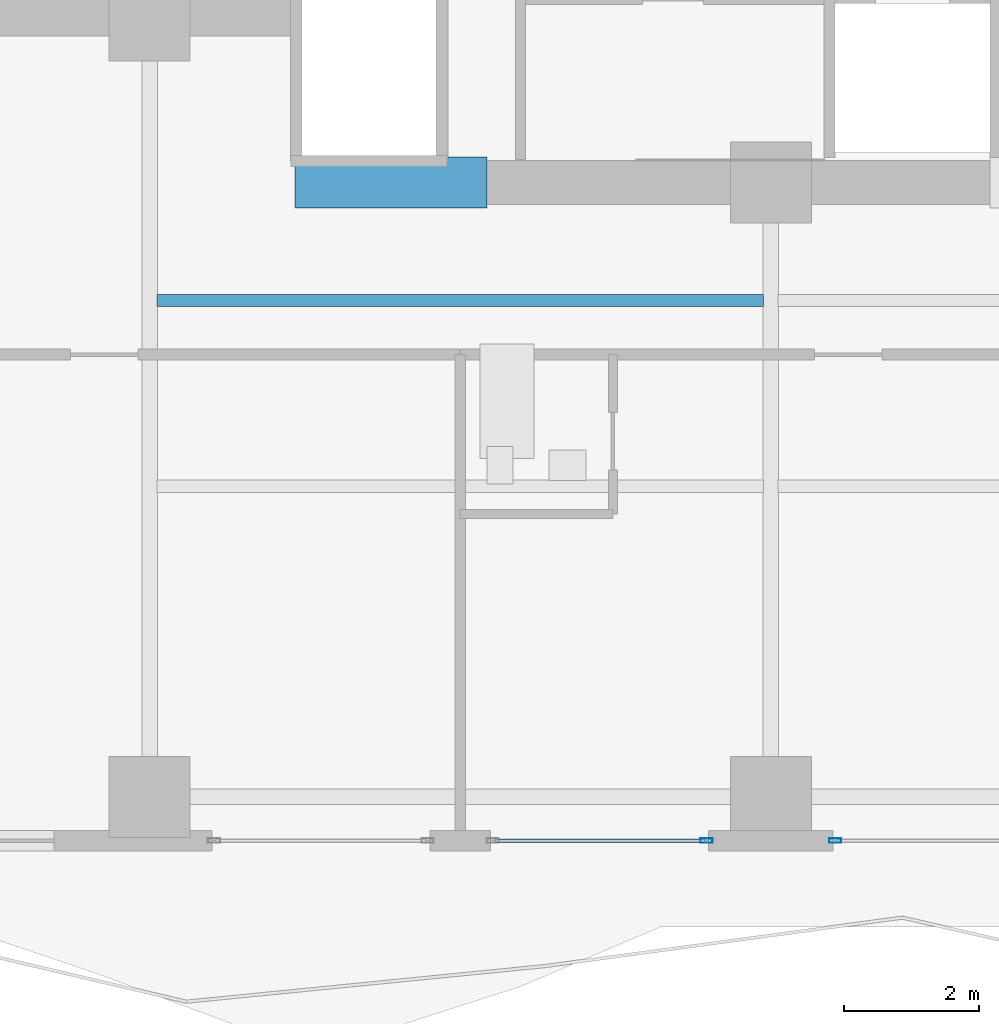
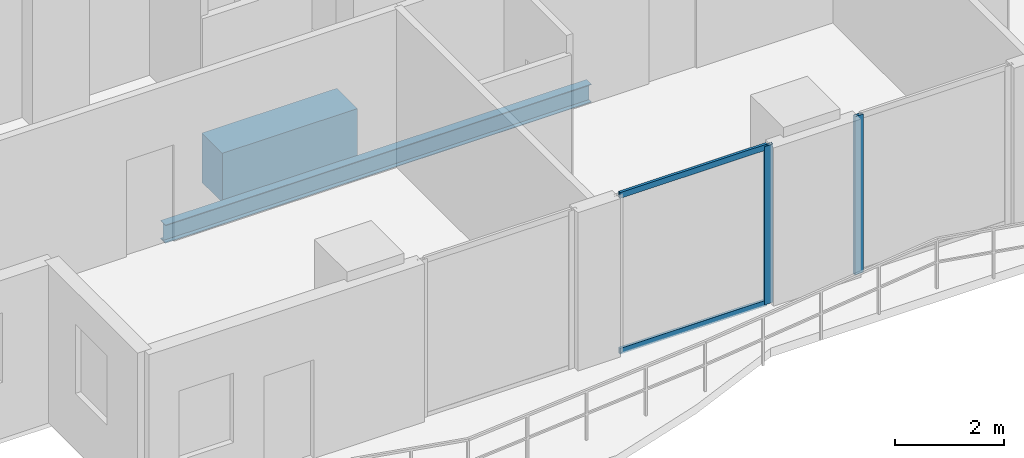
# One storey, part 4 of 33: 4 members, 2 beams, 2 elements without a shape of their own.
"""IFC4 building model written with IfcOpenShell, lengths in metres."""

from ifc_helpers import new_model, si_unit, direction, frame, origin, origin_2d, place, context, subcontext, project, spatial, rectangle, hollow_rectangle, i_section, extrude, material, layer, layer_set, material_profile, profile_set, type_object, element, aggregate, save


model = new_model("IFC4")

# Units and contexts
model_context = context("Model", 3, precision=1e-05, world=origin(), true_north=direction((0.0, 1.0)))
body_context = subcontext(model_context, "Body", "Model", "MODEL_VIEW")
ifc_project = project(units=[si_unit("LENGTHUNIT", "METRE"), si_unit("AREAUNIT", "SQUARE_METRE"), si_unit("VOLUMEUNIT", "CUBIC_METRE"), si_unit("PLANEANGLEUNIT", "RADIAN"), si_unit("MASSUNIT", "GRAM", prefix="KILO")], contexts=[model_context])

# Site, building, storey
site_placement = place(None, origin())
site = spatial("IfcSite", under=ifc_project, at=site_placement, CompositionType="ELEMENT")
building_placement = place(site_placement, origin())
building = spatial("IfcBuilding", under=site, at=building_placement, Name="Zuhayl Quay Hotel", CompositionType="ELEMENT")
storey_placement = place(building_placement, frame((0.0, 0.0, 222.39990234375)))
storey = spatial("IfcBuildingStorey", under=building, at=storey_placement, Name="L56", CompositionType="ELEMENT", Elevation=222.39990234375)

# Beams
ifc_material_1 = material(Name="Concrete C60/75", Category="concrete")
ifc_material_profile_1 = material_profile(ifc_material_1, rectangle(XDim=0.75, YDim=1.10009765625, at=origin_2d()), Name="RC750X1100")
ifc_profile_set_1 = profile_set([ifc_material_profile_1], Name="Concrete C60/75")
beam_type_1 = type_object("IfcBeamType", Name="BM_CB2_RC750", PredefinedType="T_BEAM", material=ifc_profile_set_1)
beam_1_placement = place(storey_placement, frame((-11.64990234375, 2.14990234375, -0.77001953125), z_axis=(1.0, 0.0, 0.0), x_axis=(0.0, 1.0, 0.0)))
element("IfcBeam", 1, at=beam_1_placement, inside=storey, type_object=beam_type_1, Name="L56 Core Coupling Beam SW", PredefinedType="T_BEAM", context=body_context, shape_type="SweptSolid", body=[
    extrude(rectangle(XDim=0.75, YDim=1.10009765625, at=origin_2d()), origin(), (0.0, 0.0, 1.0), 2.849853515625),
])
ifc_material_2 = material(Name="Steel ASTM A992 Grade 50", Category="steel")
ifc_material_profile_2 = material_profile(ifc_material_2, i_section(OverallWidth=0.177978515625, OverallDepth=0.406005859375, WebThickness=0.0078125, FlangeThickness=0.0126953125, at=origin_2d()), Name="W16X40")
ifc_profile_set_2 = profile_set([ifc_material_profile_2], Name="Steel ASTM A992 Grade 50")
beam_type_2 = type_object("IfcBeamType", Name="BM_J2B_W16X40", PredefinedType="JOIST", material=ifc_profile_set_2)
beam_2_placement = place(storey_placement, frame((-13.694091796875, 0.39990234375, -0.4228515625), z_axis=(1.0, 0.0, 0.0), x_axis=(0.0, 1.0, 0.0)))
element("IfcBeam", 2, at=beam_2_placement, inside=storey, type_object=beam_type_2, Name="L56 Floor Beam FJ_L56_8_1", PredefinedType="JOIST", context=body_context, shape_type="SweptSolid", body=[
    extrude(i_section(OverallWidth=0.177978515625, OverallDepth=0.406005859375, WebThickness=0.0078125, FlangeThickness=0.0126953125, at=origin_2d()), origin(), (0.0, 0.0, 1.0), 8.988037109375),
])

# Curtain wall, member
ifc_material_3 = material(Name="Anodised Aluminium 6063-T6", Category="aluminium")
ifc_layer = layer(ifc_material_3, 0.175048828125, Name="Anodised Aluminium 6063-T6", Category="aluminium")
ifc_layer_set = layer_set([ifc_layer], Name="Anodised Aluminium 6063-T6")
curtain_wall_type = type_object("IfcCurtainWallType", Name="CW_SYS_Z3", PredefinedType="USERDEFINED", material=ifc_layer_set)
curtain_wall_1_placement = place(storey_placement, origin())
curtain_wall_1 = element("IfcCurtainWall", 3, at=curtain_wall_1_placement, inside=storey, type_object=curtain_wall_type, Name="L56 Curtain Wall ENV_L56_S_CW5", ObjectType="UNITISED CURTAIN WALL", PredefinedType="USERDEFINED")
ifc_material_4 = material(Name="Black-anodised aluminium 6063-T6", Category="aluminium")
ifc_material_profile_3 = material_profile(ifc_material_4, hollow_rectangle(XDim=0.06494140625, YDim=0.179931640625, WallThickness=0.00341796875, at=origin_2d()), Name="ALU180X65")
ifc_profile_set_3 = profile_set([ifc_material_profile_3], Name="Black-anodised aluminium 6063-T6")
member_type_1 = type_object("IfcMemberType", Name="MB_CW_MUL_180", PredefinedType="MULLION", material=ifc_profile_set_3)
member_1_placement = place(storey_placement, frame((-3.6474609375, -7.60009765625, 0.0), z_axis=(0.0, 0.0, 1.0), x_axis=(0.0, -1.0, 0.0)))
member_1 = element("IfcMember", 4, at=member_1_placement, type_object=member_type_1, Name="CW-Z3 mullion 2", PredefinedType="MULLION", context=body_context, shape_type="SweptSolid", body=[
    extrude(hollow_rectangle(XDim=0.06494140625, YDim=0.179931640625, WallThickness=0.00341796875, at=origin_2d()), origin(), (0.0, 0.0, 1.0), 3.530029296875),
])
aggregate(curtain_wall_1, [member_1])

# Curtain wall, members
curtain_wall_2_placement = place(storey_placement, origin())
curtain_wall_2 = element("IfcCurtainWall", 5, at=curtain_wall_2_placement, inside=storey, type_object=curtain_wall_type, Name="L56 Curtain Wall ENV_L56_S_CW6", ObjectType="UNITISED CURTAIN WALL", PredefinedType="USERDEFINED")
member_2_placement = place(storey_placement, frame((-5.552490234375, -7.60009765625, 0.0), z_axis=(0.0, 0.0, 1.0), x_axis=(0.0, -1.0, 0.0)))
member_2 = element("IfcMember", 6, at=member_2_placement, type_object=member_type_1, Name="CW-Z3 mullion 1", PredefinedType="MULLION", context=body_context, shape_type="SweptSolid", body=[
    extrude(hollow_rectangle(XDim=0.06494140625, YDim=0.179931640625, WallThickness=0.00341796875, at=origin_2d()), origin(), (0.0, 0.0, 1.0), 3.530029296875),
])
ifc_material_profile_4 = material_profile(ifc_material_4, hollow_rectangle(XDim=0.054931640625, YDim=0.1298828125, WallThickness=0.0029296875, at=origin_2d()), Name="ALU130X55")
ifc_profile_set_4 = profile_set([ifc_material_profile_4], Name="Black-anodised aluminium 6063-T6")
member_type_2 = type_object("IfcMemberType", Name="MB_CW_TRN_130", PredefinedType="USERDEFINED", material=ifc_profile_set_4)
member_3_placement = place(storey_placement, frame((-5.5849609375, -7.60009765625, 0.027587890625), z_axis=(-1.0, 0.0, 0.0), x_axis=(0.0, -1.0, 0.0)))
member_3 = element("IfcMember", 7, at=member_3_placement, type_object=member_type_2, Name="CW-Z3 transom 1.1", ObjectType="TRANSOM", PredefinedType="USERDEFINED", context=body_context, shape_type="SweptSolid", body=[
    extrude(hollow_rectangle(XDim=0.054931640625, YDim=0.1298828125, WallThickness=0.0029296875, at=origin_2d()), origin(), (0.0, 0.0, 1.0), 3.10009765625),
])
member_4_placement = place(storey_placement, frame((-5.5849609375, -7.60009765625, 3.502685546875), z_axis=(-1.0, 0.0, 0.0), x_axis=(0.0, -1.0, 0.0)))
member_4 = element("IfcMember", 8, at=member_4_placement, type_object=member_type_2, Name="CW-Z3 transom 1.2", ObjectType="TRANSOM", PredefinedType="USERDEFINED", context=body_context, shape_type="SweptSolid", body=[
    extrude(hollow_rectangle(XDim=0.054931640625, YDim=0.1298828125, WallThickness=0.0029296875, at=origin_2d()), origin(), (0.0, 0.0, 1.0), 3.10009765625),
])
aggregate(curtain_wall_2, [member_2, member_3, member_4])

save(model, "model.ifc")
